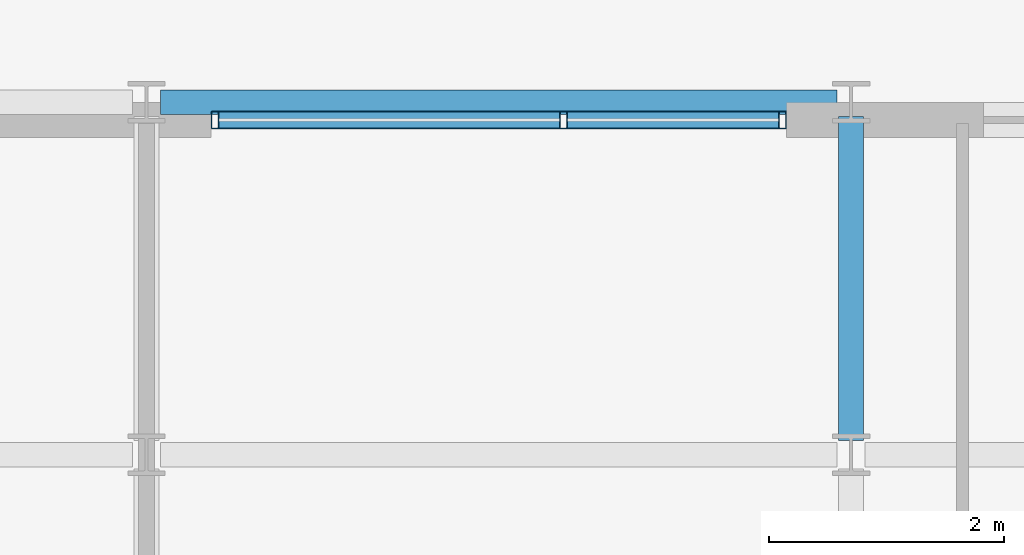
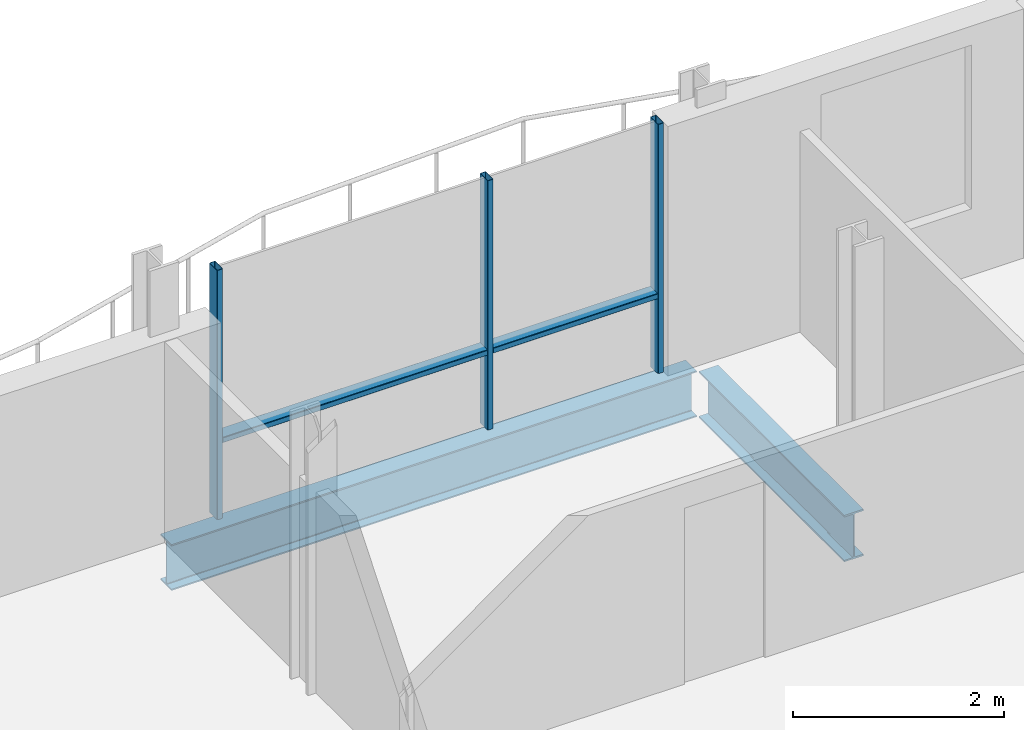
# One storey, part 4 of 12: 5 members, 2 beams, 1 element without a shape of its own.
"""IFC4 building model written with IfcOpenShell, lengths in metres."""

from ifc_helpers import new_model, si_unit, direction, frame, origin, origin_2d, place, context, subcontext, project, spatial, hollow_rectangle, i_section, extrude, material, layer, layer_set, material_profile, profile_set, type_object, element, aggregate, save


model = new_model("IFC4")

# Units and contexts
model_context = context("Model", 3, precision=1e-05, world=origin(), true_north=direction((0.0, 1.0)))
body_context = subcontext(model_context, "Body", "Model", "MODEL_VIEW")
ifc_project = project(units=[si_unit("LENGTHUNIT", "METRE"), si_unit("AREAUNIT", "SQUARE_METRE"), si_unit("VOLUMEUNIT", "CUBIC_METRE"), si_unit("PLANEANGLEUNIT", "RADIAN"), si_unit("MASSUNIT", "GRAM", prefix="KILO")], contexts=[model_context])

# Site, building, storey
site_placement = place(None, origin())
site = spatial("IfcSite", under=ifc_project, at=site_placement, CompositionType="ELEMENT")
building_placement = place(site_placement, origin())
building = spatial("IfcBuilding", under=site, at=building_placement, Name="Brevholm Reach", CompositionType="ELEMENT")
storey_placement = place(building_placement, frame((0.0, 0.0, 230.39990234375)))
storey = spatial("IfcBuildingStorey", under=building, at=storey_placement, Name="L70", CompositionType="ELEMENT", Elevation=230.39990234375)

# Beams
ifc_material_1 = material(Name="Structural Steel S355J2", Category="steel")
ifc_material_profile_1 = material_profile(ifc_material_1, i_section(OverallWidth=0.209228515625, OverallDepth=0.533203125, WebThickness=0.010009765625, FlangeThickness=0.015625, FilletRadius=0.0126953125, at=origin_2d()), Name="UKB 533x210x92")
ifc_profile_set_1 = profile_set([ifc_material_profile_1], Name="Structural Steel S355J2")
beam_type_1 = type_object("IfcBeamType", Name="BM-SP533", PredefinedType="SPANDREL", material=ifc_profile_set_1)
beam_1_placement = place(storey_placement, frame((48.1201171875, 26.5, -0.4765625), z_axis=(1.0, 0.0, 0.0), x_axis=(0.0, 1.0, 0.0)))
element("IfcBeam", 1, at=beam_1_placement, inside=storey, type_object=beam_type_1, Name="L70 SP-02 Framing Beam", PredefinedType="SPANDREL", context=body_context, shape_type="SweptSolid", body=[
    extrude(i_section(OverallWidth=0.209228515625, OverallDepth=0.533203125, WebThickness=0.010009765625, FlangeThickness=0.015625, FilletRadius=0.0126953125, at=origin_2d()), origin(), (0.0, 0.0, 1.0), 5.759765625),
])
ifc_material_2 = material(Name="Structural Steel S355J2", Category="steel")
ifc_material_profile_2 = material_profile(ifc_material_2, i_section(OverallWidth=0.210693359375, OverallDepth=0.53955078125, WebThickness=0.01171875, FlangeThickness=0.018798828125, FilletRadius=0.0126953125, at=origin_2d()), Name="UKB 533x210x109")
ifc_profile_set_2 = profile_set([ifc_material_profile_2], Name="Structural Steel S355J2")
beam_type_2 = type_object("IfcBeamType", Name="BM-SP539", PredefinedType="SPANDREL", material=ifc_profile_set_2)
beam_2_placement = place(storey_placement, frame((54.0, 23.6201171875, -0.479736328125), z_axis=(0.0, 1.0, 0.0), x_axis=(-1.0, 0.0, 0.0)))
element("IfcBeam", 2, at=beam_2_placement, inside=storey, type_object=beam_type_2, Name="L70 SP-01B Framing Beam", PredefinedType="SPANDREL", context=body_context, shape_type="SweptSolid", body=[
    extrude(i_section(OverallWidth=0.210693359375, OverallDepth=0.53955078125, WebThickness=0.01171875, FlangeThickness=0.018798828125, FilletRadius=0.0126953125, at=origin_2d()), origin(), (0.0, 0.0, 1.0), 2.759765625),
])

# Curtain wall, members
ifc_material_3 = material(Name="Dark Anodised Aluminium 6063-T6 and Solar-Control Glass", Category="aluminium")
ifc_layer = layer(ifc_material_3, 0.14990234375)
ifc_layer_set = layer_set([ifc_layer], Name="Dark Anodised Aluminium 6063-T6 and Solar-Control Glass")
curtain_wall_type = type_object("IfcCurtainWallType", Name="CW-01", PredefinedType="NOTDEFINED", material=ifc_layer_set)
curtain_wall_placement = place(storey_placement, origin())
curtain_wall = element("IfcCurtainWall", 3, at=curtain_wall_placement, inside=storey, type_object=curtain_wall_type, Name="L70 Curtain Wall CW-01", PredefinedType="NOTDEFINED")
ifc_material_4 = material(Name="Dark Anodised Aluminium 6063-T6", Category="aluminium")
ifc_material_profile_3 = material_profile(ifc_material_4, hollow_rectangle(XDim=0.06494140625, YDim=0.14990234375, WallThickness=0.0048828125, InnerFilletRadius=0.0048828125, OuterFilletRadius=0.010009765625, at=origin_2d()), Name="RHS 150x65x5")
ifc_profile_set_3 = profile_set([ifc_material_profile_3], Name="Dark Anodised Aluminium 6063-T6")
member_type_1 = type_object("IfcMemberType", Name="CWM-150", PredefinedType="MULLION", material=ifc_profile_set_3)
member_1_placement = place(storey_placement, frame((48.58251953125, 26.35009765625, 0.0), z_axis=(0.0, 0.0, 1.0), x_axis=(1.0, 0.0, 0.0)))
member_1 = element("IfcMember", 4, at=member_1_placement, type_object=member_type_1, Name="CM-150 Mullion 1", PredefinedType="MULLION", context=body_context, shape_type="SweptSolid", body=[
    extrude(hollow_rectangle(XDim=0.06494140625, YDim=0.14990234375, WallThickness=0.0048828125, InnerFilletRadius=0.0048828125, OuterFilletRadius=0.010009765625, at=origin_2d()), origin(), (0.0, 0.0, 1.0), 2.89013671875),
])
member_2_placement = place(storey_placement, frame((51.550048828125, 26.35009765625, 0.0), z_axis=(0.0, 0.0, 1.0), x_axis=(1.0, 0.0, 0.0)))
member_2 = element("IfcMember", 5, at=member_2_placement, type_object=member_type_1, Name="CM-150 Mullion 2", PredefinedType="MULLION", context=body_context, shape_type="SweptSolid", body=[
    extrude(hollow_rectangle(XDim=0.06494140625, YDim=0.14990234375, WallThickness=0.0048828125, InnerFilletRadius=0.0048828125, OuterFilletRadius=0.010009765625, at=origin_2d()), origin(), (0.0, 0.0, 1.0), 2.89013671875),
])
member_3_placement = place(storey_placement, frame((53.41748046875, 26.35009765625, 0.0), z_axis=(0.0, 0.0, 1.0), x_axis=(1.0, 0.0, 0.0)))
member_3 = element("IfcMember", 6, at=member_3_placement, type_object=member_type_1, Name="CM-150 Mullion 3", PredefinedType="MULLION", context=body_context, shape_type="SweptSolid", body=[
    extrude(hollow_rectangle(XDim=0.06494140625, YDim=0.14990234375, WallThickness=0.0048828125, InnerFilletRadius=0.0048828125, OuterFilletRadius=0.010009765625, at=origin_2d()), origin(), (0.0, 0.0, 1.0), 2.89013671875),
])
ifc_material_5 = material(Name="Dark Anodised Aluminium 6063-T6", Category="aluminium")
ifc_material_profile_4 = material_profile(ifc_material_5, hollow_rectangle(XDim=0.06494140625, YDim=0.14990234375, WallThickness=0.0048828125, InnerFilletRadius=0.0048828125, OuterFilletRadius=0.010009765625, at=origin_2d()), Name="RHS 150x65x5")
ifc_profile_set_4 = profile_set([ifc_material_profile_4], Name="Dark Anodised Aluminium 6063-T6")
member_type_2 = type_object("IfcMemberType", Name="CWT-150", PredefinedType="NOTDEFINED", material=ifc_profile_set_4)
member_4_placement = place(storey_placement, frame((48.614990234375, 26.35009765625, 0.900146484375), z_axis=(1.0, 0.0, 0.0), x_axis=(0.0, 0.0, 1.0)))
member_4 = element("IfcMember", 7, at=member_4_placement, type_object=member_type_2, Name="CT-150 Transom 1.1", ObjectType="TRANSOM", PredefinedType="USERDEFINED", context=body_context, shape_type="SweptSolid", body=[
    extrude(hollow_rectangle(XDim=0.06494140625, YDim=0.14990234375, WallThickness=0.0048828125, InnerFilletRadius=0.0048828125, OuterFilletRadius=0.010009765625, at=origin_2d()), origin(), (0.0, 0.0, 1.0), 2.902587890625),
])
member_5_placement = place(storey_placement, frame((51.58251953125, 26.35009765625, 0.900146484375), z_axis=(1.0, 0.0, 0.0), x_axis=(0.0, 0.0, 1.0)))
member_5 = element("IfcMember", 8, at=member_5_placement, type_object=member_type_2, Name="CT-150 Transom 2.1", ObjectType="TRANSOM", PredefinedType="USERDEFINED", context=body_context, shape_type="SweptSolid", body=[
    extrude(hollow_rectangle(XDim=0.06494140625, YDim=0.14990234375, WallThickness=0.0048828125, InnerFilletRadius=0.0048828125, OuterFilletRadius=0.010009765625, at=origin_2d()), origin(), (0.0, 0.0, 1.0), 1.802490234375),
])
aggregate(curtain_wall, [member_1, member_2, member_3, member_4, member_5])

save(model, "model.ifc")
